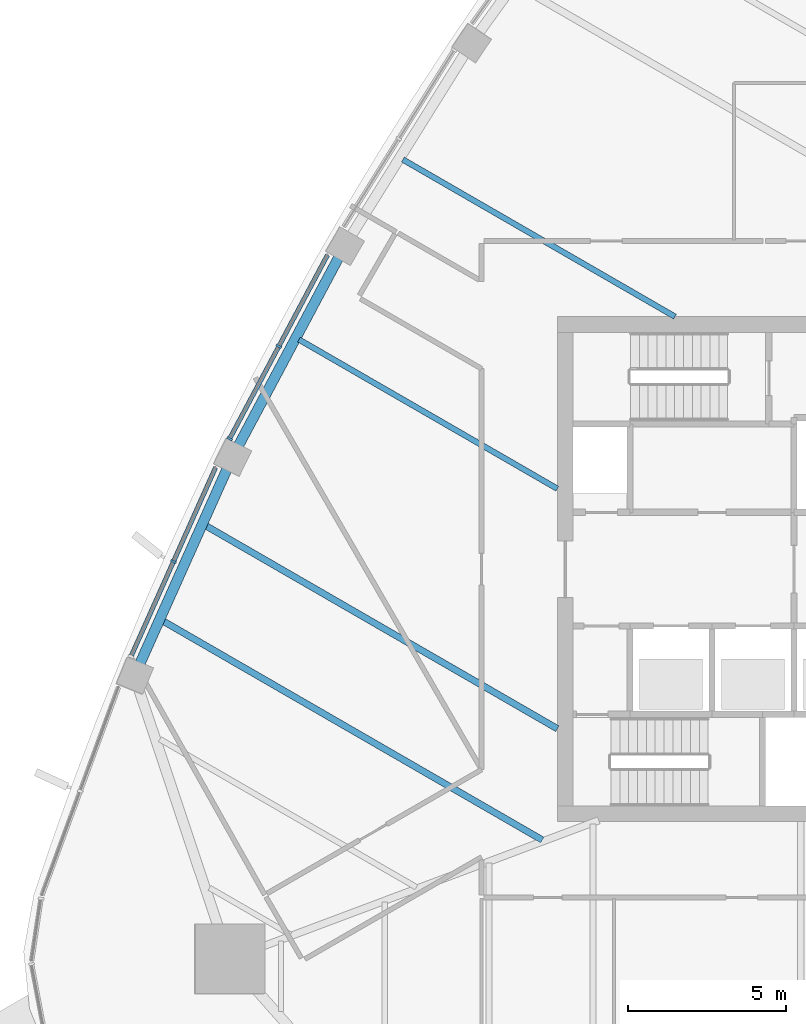
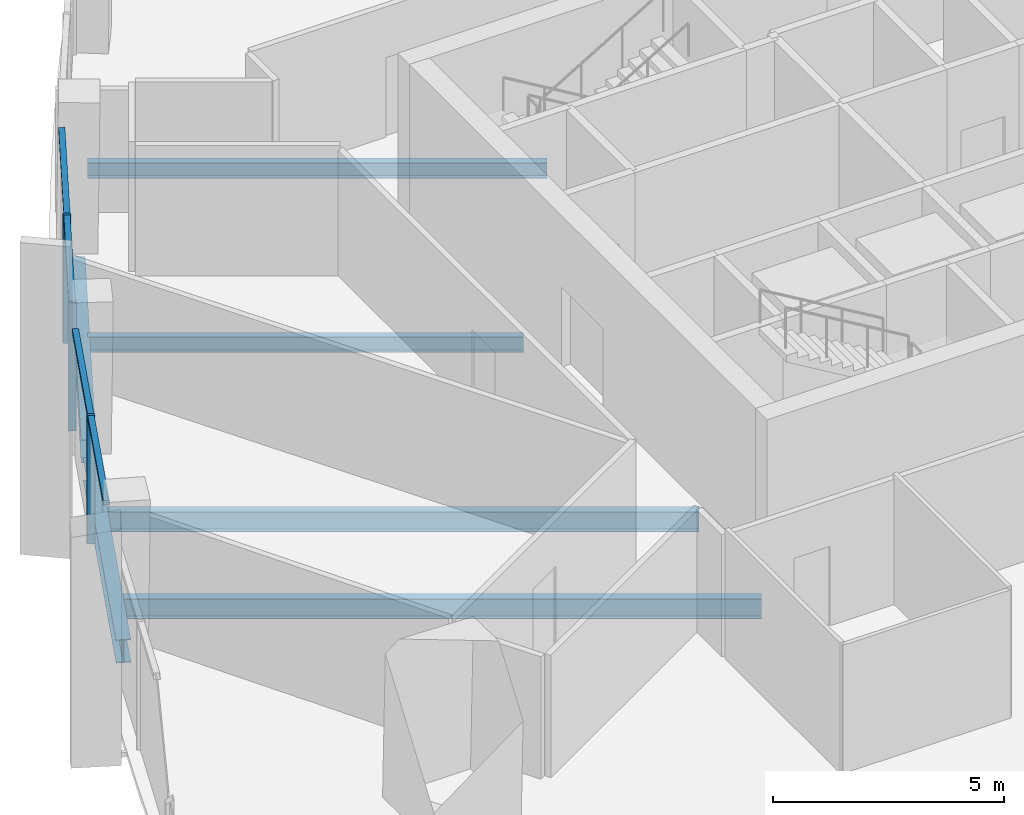
# One storey, part 3 of 18: 7 members, 6 beams, 2 elements without a shape of their own.
"""IFC4 building model written with IfcOpenShell, lengths in metres."""

from ifc_helpers import new_model, si_unit, direction, frame, origin, origin_2d, place, context, subcontext, project, spatial, rectangle, i_section, extrude, material, layer, layer_set, material_profile, profile_set, type_object, element, aggregate, save


model = new_model("IFC4")

# Units and contexts
model_context = context("Model", 3, precision=1e-05, world=origin(), true_north=direction((0.0, 1.0)))
body_context = subcontext(model_context, "Body", "Model", "MODEL_VIEW")
ifc_project = project(units=[si_unit("LENGTHUNIT", "METRE"), si_unit("AREAUNIT", "SQUARE_METRE"), si_unit("VOLUMEUNIT", "CUBIC_METRE"), si_unit("PLANEANGLEUNIT", "RADIAN"), si_unit("MASSUNIT", "GRAM", prefix="KILO")], contexts=[model_context])

# Site, building, storey
site_placement = place(None, origin())
site = spatial("IfcSite", under=ifc_project, at=site_placement, CompositionType="ELEMENT")
building_placement = place(site_placement, origin())
building = spatial("IfcBuilding", under=site, at=building_placement, Name="Sierra Prisma Convention Tower", CompositionType="ELEMENT")
storey_placement = place(building_placement, frame((0.0, 0.0, 263.0)))
storey = spatial("IfcBuildingStorey", under=building, at=storey_placement, Name="L59", CompositionType="ELEMENT", Elevation=263.0)

# Curtain wall, members
ifc_material_1 = material(Name="Aluminium and glass curtain wall", Category="aluminium")
ifc_layer = layer(ifc_material_1, 0.179931640625)
ifc_layer_set = layer_set([ifc_layer], Name="CW-1 Plain shaft curtain wall")
curtain_wall_type = type_object("IfcCurtainWallType", Name="CW-1 Plain shaft curtain wall", PredefinedType="NOTDEFINED", material=ifc_layer_set)
curtain_wall_1_placement = place(storey_placement, origin())
curtain_wall_1 = element("IfcCurtainWall", 1, at=curtain_wall_1_placement, inside=storey, type_object=curtain_wall_type, Name="CW-1 NW4 L59", PredefinedType="NOTDEFINED")
ifc_material_2 = material(Name="Aluminium 6063-T6 bronze anodised", Category="aluminium")
ifc_material_profile_1 = material_profile(ifc_material_2, rectangle(XDim=0.179931640625, YDim=0.070068359375, at=origin_2d()), Name="ALU MULLION 70x180")
ifc_profile_set_1 = profile_set([ifc_material_profile_1], Name="Aluminium 6063-T6 bronze anodised")
member_type_1 = type_object("IfcMemberType", Name="CW mullion bronze", PredefinedType="MULLION", material=ifc_profile_set_1)
member_1_placement = place(storey_placement, frame((-19.822998046875, 7.059814453125, 0.0), z_axis=(0.0, 0.0, 1.0), x_axis=(0.882643616702, -0.470042812832, 0.0)))
member_1 = element("IfcMember", 2, at=member_1_placement, type_object=member_type_1, Name="CW-1 mullion NW4.2", PredefinedType="MULLION", context=body_context, shape_type="SweptSolid", body=[
    extrude(rectangle(XDim=0.179931640625, YDim=0.070068359375, at=origin_2d()), origin(), (0.0, 0.0, 1.0), 3.39990234375),
])
member_2_placement = place(storey_placement, frame((-21.381103515625, 4.134033203125, 0.0), z_axis=(0.0, 0.0, 1.0), x_axis=(0.882643616702, -0.470042812832, 0.0)))
member_2 = element("IfcMember", 3, at=member_2_placement, type_object=member_type_1, Name="CW-1 mullion NW4.3", PredefinedType="MULLION", context=body_context, shape_type="SweptSolid", body=[
    extrude(rectangle(XDim=0.179931640625, YDim=0.070068359375, at=origin_2d()), origin(), (0.0, 0.0, 1.0), 3.39990234375),
])

# Curtain wall, member
curtain_wall_2_placement = place(storey_placement, origin())
curtain_wall_2 = element("IfcCurtainWall", 4, at=curtain_wall_2_placement, inside=storey, type_object=curtain_wall_type, Name="CW-1 NW5 L59", PredefinedType="NOTDEFINED")
member_3_placement = place(storey_placement, frame((-23.160400390625, 0.241455078125, 0.0), z_axis=(0.0, 0.0, 1.0), x_axis=(0.912754148617, -0.408509319578, 0.0)))
member_3 = element("IfcMember", 5, at=member_3_placement, type_object=member_type_1, Name="CW-1 mullion NW5.2", PredefinedType="MULLION", context=body_context, shape_type="SweptSolid", body=[
    extrude(rectangle(XDim=0.179931640625, YDim=0.070068359375, at=origin_2d()), origin(), (0.0, 0.0, 1.0), 3.39990234375),
])

# Member
ifc_material_3 = material(Name="Aluminium 6063-T6 bronze anodised", Category="aluminium")
ifc_material_profile_2 = material_profile(ifc_material_3, rectangle(XDim=0.139892578125, YDim=0.1201171875, at=origin_2d()), Name="ALU TRANSOM 120x140")
ifc_profile_set_2 = profile_set([ifc_material_profile_2], Name="Aluminium 6063-T6 bronze anodised")
member_type_2 = type_object("IfcMemberType", Name="CW transom bronze", PredefinedType="USERDEFINED", material=ifc_profile_set_2)
member_4_placement = place(storey_placement, frame((-18.28125, 9.95458984375, 3.340087890625), z_axis=(-0.470029692397, -0.88265060373, 0.0), x_axis=(0.88265060373, -0.470029692397, 0.0)))
member_4 = element("IfcMember", 6, at=member_4_placement, type_object=member_type_2, Name="CW-1 transom NW4.1", ObjectType="TRANSOM", PredefinedType="USERDEFINED", context=body_context, shape_type="SweptSolid", body=[
    extrude(rectangle(XDim=0.139892578125, YDim=0.1201171875, at=origin_2d()), origin(), (0.0, 0.0, 1.0), 3.244873046875),
])

member_5_placement = place(storey_placement, frame((-19.83935546875, 7.02880859375, 3.340087890625), z_axis=(-0.470029692397, -0.88265060373, 0.0), x_axis=(0.88265060373, -0.470029692397, 0.0)))
member_5 = element("IfcMember", 7, at=member_5_placement, type_object=member_type_2, Name="CW-1 transom NW4.2", ObjectType="TRANSOM", PredefinedType="USERDEFINED", context=body_context, shape_type="SweptSolid", body=[
    extrude(rectangle(XDim=0.139892578125, YDim=0.1201171875, at=origin_2d()), origin(), (0.0, 0.0, 1.0), 3.244873046875),
])

aggregate(curtain_wall_1, [member_1, member_2, member_4, member_5])

member_6_placement = place(storey_placement, frame((-21.8271484375, 3.220458984375, 3.340087890625), z_axis=(-0.408480463387, -0.912767062854, 0.0), x_axis=(0.912767062854, -0.408480463387, 0.0)))
member_6 = element("IfcMember", 8, at=member_6_placement, type_object=member_type_2, Name="CW-1 transom NW5.1", ObjectType="TRANSOM", PredefinedType="USERDEFINED", context=body_context, shape_type="SweptSolid", body=[
    extrude(rectangle(XDim=0.139892578125, YDim=0.1201171875, at=origin_2d()), origin(), (0.0, 0.0, 1.0), 3.228759765625),
])

member_7_placement = place(storey_placement, frame((-23.1748046875, 0.20947265625, 3.340087890625), z_axis=(-0.408452271705, -0.912779678641, 0.0), x_axis=(0.912779678641, -0.408452271705, 0.0)))
member_7 = element("IfcMember", 9, at=member_7_placement, type_object=member_type_2, Name="CW-1 transom NW5.2", ObjectType="TRANSOM", PredefinedType="USERDEFINED", context=body_context, shape_type="SweptSolid", body=[
    extrude(rectangle(XDim=0.139892578125, YDim=0.1201171875, at=origin_2d()), origin(), (0.0, 0.0, 1.0), 3.22900390625),
])

aggregate(curtain_wall_2, [member_3, member_6, member_7])

# Beams
ifc_material_4 = material(Name="Steel ASTM A992 Gr 50", Category="steel")
ifc_material_profile_3 = material_profile(ifc_material_4, i_section(OverallWidth=0.177978515625, OverallDepth=0.406982421875, WebThickness=0.0078125, FlangeThickness=0.0126953125, at=origin_2d()), Name="W410x60")
ifc_profile_set_3 = profile_set([ifc_material_profile_3], Name="Steel ASTM A992 Gr 50")
beam_type_1 = type_object("IfcBeamType", Name="Floor joist W410x60", PredefinedType="JOIST", material=ifc_profile_set_3)
beam_1_placement = place(storey_placement, frame((-15.892333984375, 12.97705078125, -0.353515625), z_axis=(0.866027931447, -0.499995621934, 0.0), x_axis=(0.499995621934, 0.866027931447, 0.0)))
element("IfcBeam", 10, at=beam_1_placement, inside=storey, type_object=beam_type_1, Name="Floor joist L59 NW06", PredefinedType="JOIST", context=body_context, shape_type="SweptSolid", body=[
    extrude(i_section(OverallWidth=0.177978515625, OverallDepth=0.406982421875, WebThickness=0.0078125, FlangeThickness=0.0126953125, at=origin_2d()), origin(), (0.0, 0.0, 1.0), 9.9541015625),
])
beam_2_placement = place(storey_placement, frame((-19.1845703125, 7.274658203125, -0.353515625), z_axis=(0.866015229196, -0.500017622489, 0.0), x_axis=(0.500017622489, 0.866015229196, 0.0)))
element("IfcBeam", 11, at=beam_2_placement, inside=storey, type_object=beam_type_1, Name="Floor joist L59 NW08", PredefinedType="JOIST", context=body_context, shape_type="SweptSolid", body=[
    extrude(i_section(OverallWidth=0.177978515625, OverallDepth=0.406982421875, WebThickness=0.0078125, FlangeThickness=0.0126953125, at=origin_2d()), origin(), (0.0, 0.0, 1.0), 9.450927734375),
])
ifc_material_5 = material(Name="Steel ASTM A992 Gr 50", Category="steel")
ifc_material_profile_4 = material_profile(ifc_material_5, i_section(OverallWidth=0.208984375, OverallDepth=0.532958984375, WebThickness=0.01025390625, FlangeThickness=0.015625, at=origin_2d()), Name="W530x92")
ifc_profile_set_4 = profile_set([ifc_material_profile_4], Name="Steel ASTM A992 Gr 50")
beam_type_2 = type_object("IfcBeamType", Name="Floor joist W530x92", PredefinedType="JOIST", material=ifc_profile_set_4)
beam_3_placement = place(storey_placement, frame((-22.14404296875, 1.3798828125, -0.41650390625), z_axis=(0.866023188807, -0.500003836433, 0.0), x_axis=(0.500003836433, 0.866023188807, 0.0)))
element("IfcBeam", 12, at=beam_3_placement, inside=storey, type_object=beam_type_2, Name="Floor joist L59 NW10", PredefinedType="JOIST", context=body_context, shape_type="SweptSolid", body=[
    extrude(i_section(OverallWidth=0.208984375, OverallDepth=0.532958984375, WebThickness=0.01025390625, FlangeThickness=0.015625, at=origin_2d()), origin(), (0.0, 0.0, 1.0), 12.8681640625),
])
beam_4_placement = place(storey_placement, frame((-23.496337890625, -1.641357421875, -0.41650390625), z_axis=(0.866029449263, -0.49999299296, 0.0), x_axis=(0.49999299296, 0.866029449263, 0.0)))
element("IfcBeam", 13, at=beam_4_placement, inside=storey, type_object=beam_type_2, Name="Floor joist L59 NW11", PredefinedType="JOIST", context=body_context, shape_type="SweptSolid", body=[
    extrude(i_section(OverallWidth=0.208984375, OverallDepth=0.532958984375, WebThickness=0.01025390625, FlangeThickness=0.015625, at=origin_2d()), origin(), (0.0, 0.0, 1.0), 13.878662109375),
])
ifc_material_6 = material(Name="Steel ASTM A992 Gr 50", Category="steel")
ifc_material_profile_5 = material_profile(ifc_material_6, i_section(OverallWidth=0.324951171875, OverallDepth=0.615966796875, WebThickness=0.013916015625, FlangeThickness=0.021484375, at=origin_2d()), Name="W610x174")
ifc_profile_set_5 = profile_set([ifc_material_profile_5], Name="Steel ASTM A992 Gr 50")
beam_type_3 = type_object("IfcBeamType", Name="Spandrel beam W610x174", PredefinedType="BEAM", material=ifc_profile_set_5)
beam_5_placement = place(storey_placement, frame((-17.888916015625, 9.947021484375, -0.4580078125), z_axis=(-0.470044856955, -0.882642528123, 0.0), x_axis=(0.882642528123, -0.470044856955, 0.0)))
element("IfcBeam", 14, at=beam_5_placement, inside=storey, type_object=beam_type_3, Name="Spandrel L59-16", PredefinedType="BEAM", context=body_context, shape_type="SweptSolid", body=[
    extrude(i_section(OverallWidth=0.324951171875, OverallDepth=0.615966796875, WebThickness=0.013916015625, FlangeThickness=0.021484375, at=origin_2d()), origin(), (0.0, 0.0, 1.0), 6.92724609375),
])
beam_6_placement = place(storey_placement, frame((-21.435302734375, 3.23974609375, -0.4580078125), z_axis=(-0.408485070712, -0.912765000975, 0.0), x_axis=(0.912765000975, -0.408485070712, 0.0)))
element("IfcBeam", 15, at=beam_6_placement, inside=storey, type_object=beam_type_3, Name="Spandrel L59-17", PredefinedType="BEAM", context=body_context, shape_type="SweptSolid", body=[
    extrude(i_section(OverallWidth=0.324951171875, OverallDepth=0.615966796875, WebThickness=0.013916015625, FlangeThickness=0.021484375, at=origin_2d()), origin(), (0.0, 0.0, 1.0), 6.927001953125),
])

save(model, "model.ifc")
